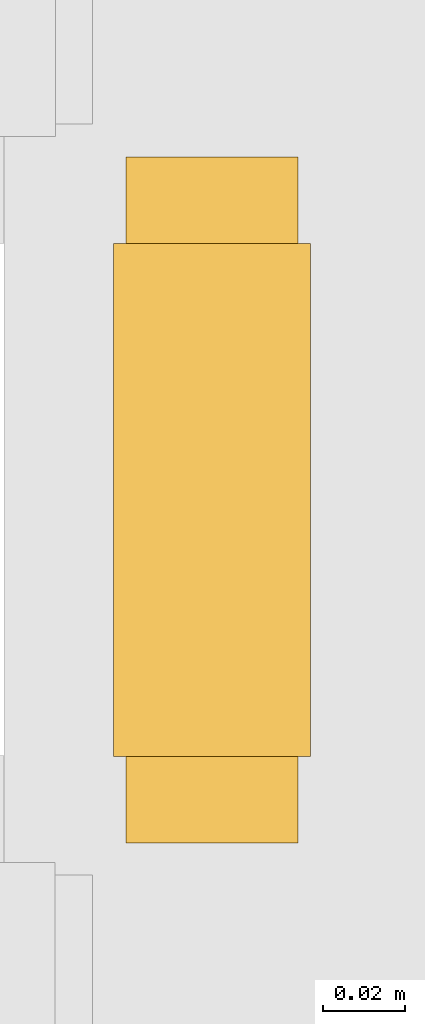
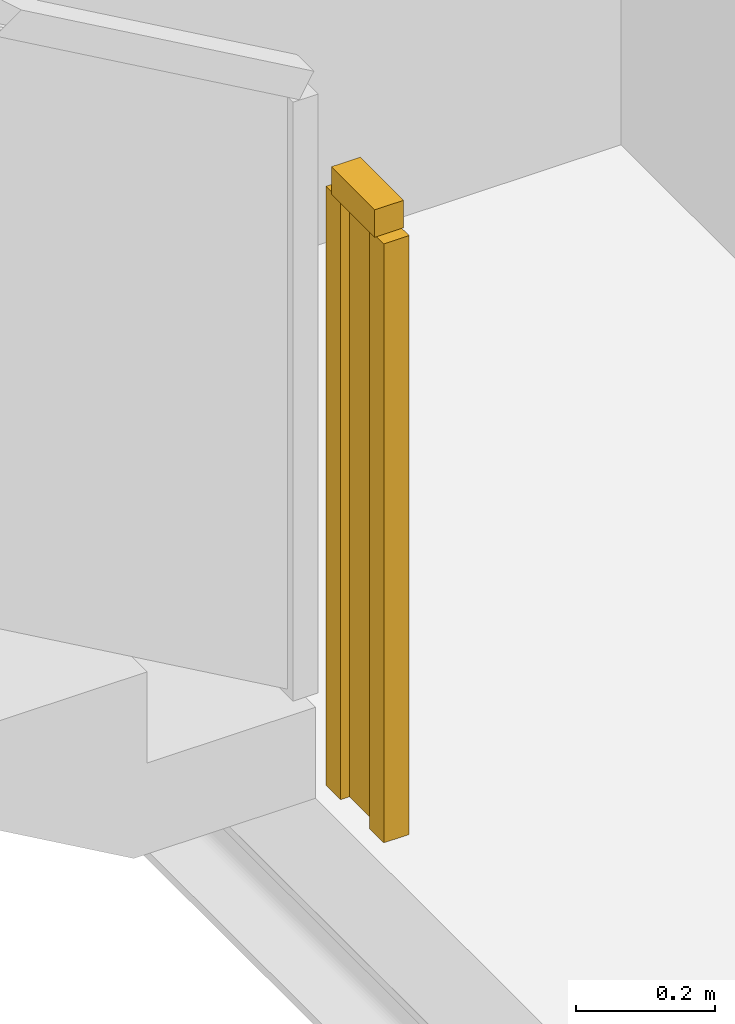
# One storey, part 20 of 22: 1 railing.
"""IFC4 building model written with IfcOpenShell, lengths in metres."""

import ifcopenshell
import ifcopenshell.guid

model = None  # the IFC model being written
_history = None  # IfcOwnerHistory: only IFC2X3 demands one
_inside = {}  # id of a spatial element -> (the spatial element, [elements in it])
_under = {}  # id of a project, library or spatial element -> (it, [spatial elements below it])
_declared = {}  # id of a project -> (the project, [libraries it declares])
_typed = {}  # id of a type object -> (the type object, [elements of that type])
_made_of = {}  # id of a material, layer set ... -> (it, [elements and type objects made of it])


def new_model(schema):
    """Start an empty IFC model of exactly this schema.

    Asked for "IFC4X3", IfcOpenShell would pick the latest addendum, in which some entities
    have other attributes; the version numbers below select the first issue.
    IFC2X3 requires an IfcOwnerHistory on every rooted entity: one is made here for all.
    """
    global model, _history
    if schema == "IFC4X3":
        model = ifcopenshell.file(schema_version=(4, 3, 0, 0))
    else:
        model = ifcopenshell.file(schema=schema)
    _inside.clear()
    _under.clear()
    _declared.clear()
    _typed.clear()
    _made_of.clear()
    _history = None
    if model.schema == "IFC2X3":
        org = make("IfcOrganization", Name="unknown")
        user = make(
            "IfcPersonAndOrganization",
            ThePerson=make("IfcPerson", FamilyName="unknown"),
            TheOrganization=org,
        )
        app = make(
            "IfcApplication",
            ApplicationDeveloper=org,
            Version="unknown",
            ApplicationFullName="unknown",
            ApplicationIdentifier="unknown",
        )
        _history = make(
            "IfcOwnerHistory",
            OwningUser=user,
            OwningApplication=app,
            ChangeAction="ADDED",
            CreationDate=0,
        )
    return model


def make(cls, **values):
    """One entity of the class cls with the attributes given. An attribute that is None is left unset."""
    return model.create_entity(
        cls, **{name: value for name, value in values.items() if value is not None}
    )


def rooted(cls, **values):
    """An entity with a GlobalId (a new one), such as an element, a storey or a relation."""
    return make(cls, GlobalId=ifcopenshell.guid.new(), OwnerHistory=_history, **values)


def si_unit(unit_type, name, prefix=None):
    """IfcSIUnit, for example si_unit("LENGTHUNIT", "METRE", prefix="MILLI")."""
    return make("IfcSIUnit", UnitType=unit_type, Prefix=prefix, Name=name)


def assignment(units):
    """IfcUnitAssignment: the units of a project."""
    return None if units is None else make("IfcUnitAssignment", Units=units)


def point(xyz):
    """IfcCartesianPoint."""
    return None if xyz is None else make("IfcCartesianPoint", Coordinates=xyz)


def direction(xyz):
    """IfcDirection."""
    return None if xyz is None else make("IfcDirection", DirectionRatios=xyz)


def frame(location, z_axis=None, x_axis=None):
    """IfcAxis2Placement3D, a coordinate frame: its origin and axes. An axis left out is left unset."""
    return make(
        "IfcAxis2Placement3D",
        Location=point(location),
        Axis=direction(z_axis),
        RefDirection=direction(x_axis),
    )


def frame_2d(location, x_axis=None):
    """IfcAxis2Placement2D, a coordinate frame in the plane: its origin and x axis."""
    return make(
        "IfcAxis2Placement2D", Location=point(location), RefDirection=direction(x_axis)
    )


def origin():
    """The frame at (0, 0, 0) with its axes left unset."""
    return frame((0.0, 0.0, 0.0))


def origin_2d():
    """The frame at (0, 0) in the plane with its x axis left unset."""
    return frame_2d((0.0, 0.0))


def place(relative_to, where):
    """IfcLocalPlacement: puts the frame where relative to a parent placement (None: the world)."""
    return make(
        "IfcLocalPlacement", PlacementRelTo=relative_to, RelativePlacement=where
    )


def context(
    kind, dimensions, precision=None, world=None, true_north=None, identifier=None
):
    """IfcGeometricRepresentationContext, for example the 3D "Model" context."""
    return make(
        "IfcGeometricRepresentationContext",
        ContextIdentifier=identifier,
        ContextType=kind,
        CoordinateSpaceDimension=dimensions,
        Precision=precision,
        WorldCoordinateSystem=world,
        TrueNorth=true_north,
    )


def subcontext(parent, identifier, kind, view, scale=None):
    """IfcGeometricRepresentationSubContext, for example "Body" below "Model"."""
    return make(
        "IfcGeometricRepresentationSubContext",
        ContextIdentifier=identifier,
        ContextType=kind,
        ParentContext=parent,
        TargetScale=scale,
        TargetView=view,
    )


def project(units=None, contexts=None):
    """IfcProject with its units and contexts."""
    return rooted(
        "IfcProject",
        Name="project",
        RepresentationContexts=contexts,
        UnitsInContext=assignment(units),
    )


def spatial(cls, under=None, at=None, **own):
    """A site, building, storey or space (cls), placed at a placement, below another one or the project."""
    s = rooted(cls, ObjectPlacement=at, **own)
    if under is not None:
        _under.setdefault(under.id(), (under, []))[1].append(s)
    return s


def polyline(points):
    """IfcPolyline through the points."""
    return make("IfcPolyline", Points=[point(p) for p in points])


def profile(cls, at=None, kind="AREA", **sizes):
    """A parametric profile (cls). Its sizes go by their IFC names, for example OverallWidth=200.0."""
    return make(cls, ProfileType=kind, Position=at, **sizes)


def rectangle(**sizes):
    """IfcRectangleProfileDef."""
    return profile("IfcRectangleProfileDef", **sizes)


def outline(outer, holes=None, kind="AREA"):
    """IfcArbitraryClosedProfileDef: a profile drawn as a closed curve; with holes, ...WithVoids."""
    if holes is None:
        return make("IfcArbitraryClosedProfileDef", ProfileType=kind, OuterCurve=outer)
    return make(
        "IfcArbitraryProfileDefWithVoids",
        ProfileType=kind,
        OuterCurve=outer,
        InnerCurves=holes,
    )


def extrude(swept, where, along, depth):
    """IfcExtrudedAreaSolid: the profile swept, set in the frame where, extruded along a direction by depth."""
    return make(
        "IfcExtrudedAreaSolid",
        SweptArea=swept,
        Position=where,
        ExtrudedDirection=direction(along),
        Depth=depth,
    )


def shape(context_of_items, identifier, shape_type, items):
    """IfcShapeRepresentation: the items that make up one representation, for example the "Body"."""
    return make(
        "IfcShapeRepresentation",
        ContextOfItems=context_of_items,
        RepresentationIdentifier=identifier,
        RepresentationType=shape_type,
        Items=items,
    )


def material(Name=None, Category=None):
    """IfcMaterial."""
    return make("IfcMaterial", Name=Name, Category=Category)


def made_of(thing, what):
    """Note that an element or type object is made of a material, layer set ...; save() writes the relation."""
    if what is not None:
        _made_of.setdefault(what.id(), (what, []))[1].append(thing)
    return thing


def type_object(cls, material=None, **own):
    """A type object (cls), such as IfcWallType, which elements share."""
    return made_of(rooted(cls, **own), material)


def element(
    cls,
    number,
    at=None,
    inside=None,
    cuts=None,
    type_object=None,
    material=None,
    context=None,
    identifier="Body",
    shape_type=None,
    held_by="IfcProductDefinitionShape",
    body=None,
    shapes=None,
    **own,
):
    """One element of the class cls, such as IfcWall. Its Tag is "e" and its number.

    at: its placement. inside: the storey or other place that contains it. cuts: it is an
    opening in that element (IfcRelVoidsElement). A single representation is given by context,
    identifier, shape_type and body (its items); several are given by shapes. held_by: the class
    of the entity that holds the representations. save() writes the other relations.
    """
    e = rooted(cls, Tag="e%d" % number, ObjectPlacement=at, **own)
    if body is not None:
        shapes = [shape(context, identifier, shape_type, body)]
    if shapes is not None:
        e.Representation = make(held_by, Representations=shapes)
    if inside is not None:
        _inside.setdefault(inside.id(), (inside, []))[1].append(e)
    if cuts is not None:
        rooted(
            "IfcRelVoidsElement", RelatingBuildingElement=cuts, RelatedOpeningElement=e
        )
    if type_object is not None:
        _typed.setdefault(type_object.id(), (type_object, []))[1].append(e)
    return made_of(e, material)


def aggregate(whole, parts):
    """IfcRelAggregates: a whole, such as a stair, and the parts it consists of."""
    return rooted("IfcRelAggregates", RelatingObject=whole, RelatedObjects=parts)


def save(model, path):
    """Write the relations noted so far, then the file.

    IfcRelAggregates (storeys below a building ...), IfcRelContainedInSpatialStructure (elements
    in a storey), IfcRelDefinesByType, IfcRelAssociatesMaterial and IfcRelDeclares: one each for
    every whole, place, type object, material and project.
    """
    for whole, parts in _under.values():
        aggregate(whole, parts)
    for where, things in _inside.values():
        rooted(
            "IfcRelContainedInSpatialStructure",
            RelatedElements=things,
            RelatingStructure=where,
        )
    for kind, things in _typed.values():
        rooted("IfcRelDefinesByType", RelatedObjects=things, RelatingType=kind)
    for what, things in _made_of.values():
        rooted("IfcRelAssociatesMaterial", RelatedObjects=things, RelatingMaterial=what)
    for by, libraries in _declared.values():
        rooted("IfcRelDeclares", RelatingContext=by, RelatedDefinitions=libraries)
    model.write(path)


model = new_model("IFC4")

# Units and contexts
model_context = context("Model", 3, precision=1e-05, world=origin(), true_north=direction((0.0, 1.0)))
body_context = subcontext(model_context, "Body", "Model", "MODEL_VIEW")
ifc_project = project(units=[si_unit("LENGTHUNIT", "METRE"), si_unit("AREAUNIT", "SQUARE_METRE"), si_unit("VOLUMEUNIT", "CUBIC_METRE"), si_unit("PLANEANGLEUNIT", "RADIAN"), si_unit("MASSUNIT", "GRAM", prefix="KILO")], contexts=[model_context])

# Site, building, storey
site_placement = place(None, origin())
site = spatial("IfcSite", under=ifc_project, at=site_placement, CompositionType="ELEMENT")
building_placement = place(site_placement, origin())
building = spatial("IfcBuilding", under=site, at=building_placement, Name="Cairn Pilgrim Tower", CompositionType="ELEMENT")
storey_placement = place(building_placement, frame((0.0, 0.0, 35.39990234375)))
storey = spatial("IfcBuildingStorey", under=building, at=storey_placement, Name="L06", CompositionType="ELEMENT", Elevation=35.39990234375)

# Railing
ifc_material = material(Name="Painted steel", Category="steel")
railing_type = type_object("IfcRailingType", Name="STAIR GUARD 1100", PredefinedType="GUARDRAIL", material=ifc_material)
railing_placement = place(storey_placement, frame((11.47509765625, 8.89990234375, 0.0)))
element("IfcRailing", 1, at=railing_placement, inside=storey, type_object=railing_type, Name="L06 ST-C stair guard 2", PredefinedType="GUARDRAIL", context=body_context, shape_type="SweptSolid", body=[
    extrude(rectangle(XDim=0.048095703125, YDim=0.048095703125, at=origin_2d()), frame((0.0, 0.0, 1.076171875), z_axis=(0.0, -1.0, 0.0), x_axis=(1.0, 0.0, 0.0)), (0.0, 0.0, 1.0), 0.125),
    extrude(rectangle(XDim=0.0419921875, YDim=0.0419921875, at=origin_2d()), origin(), (0.0, 0.0, 1.0), 1.052001953125),
    extrude(rectangle(XDim=0.0419921875, YDim=0.0419921875, at=origin_2d()), frame((0.0, -0.125, 0.0)), (0.0, 0.0, 1.0), 1.052001953125),
    extrude(outline(polyline([(0.02099609375, 0.0), (0.10400390625, 0.0), (0.10400390625, 1.052001953125), (0.02099609375, 1.052001953125), (0.02099609375, 0.0)])), frame((0.005859375, 0.0, 0.0), z_axis=(-1.0, 0.0, 0.0), x_axis=(0.0, -1.0, 0.0)), (0.0, 0.0, 1.0), 0.011962890625),
])

save(model, "model.ifc")
